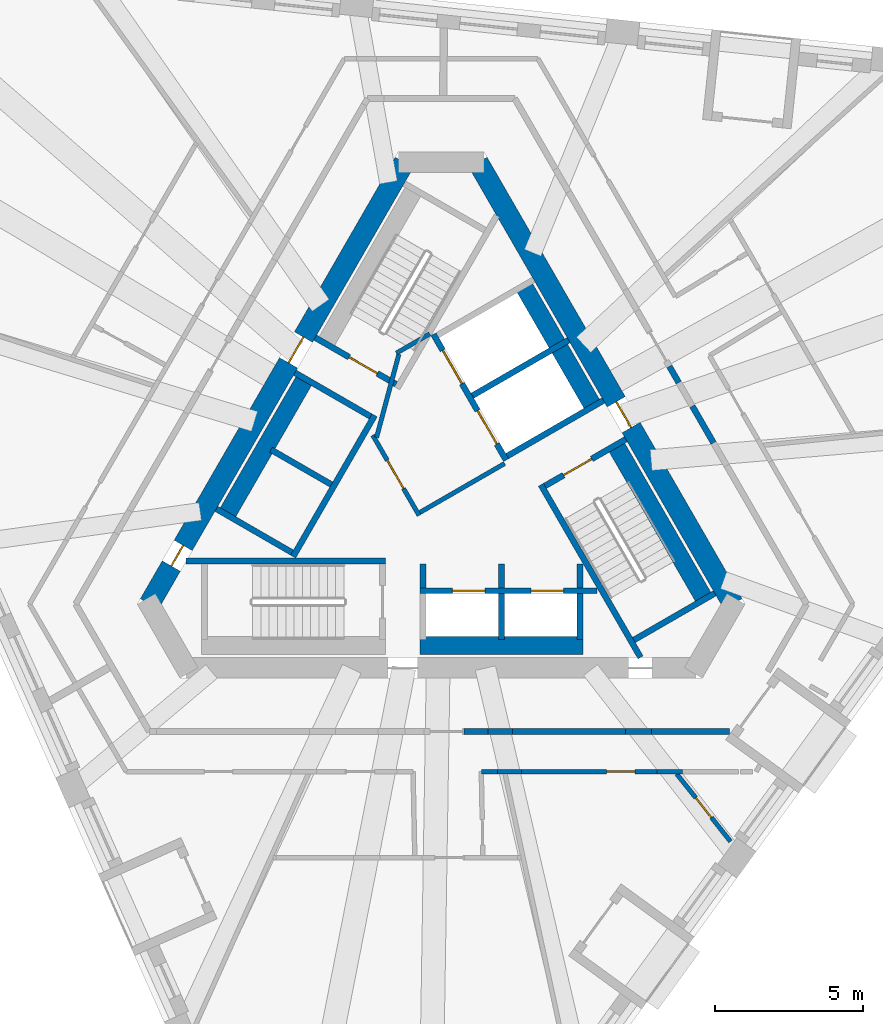
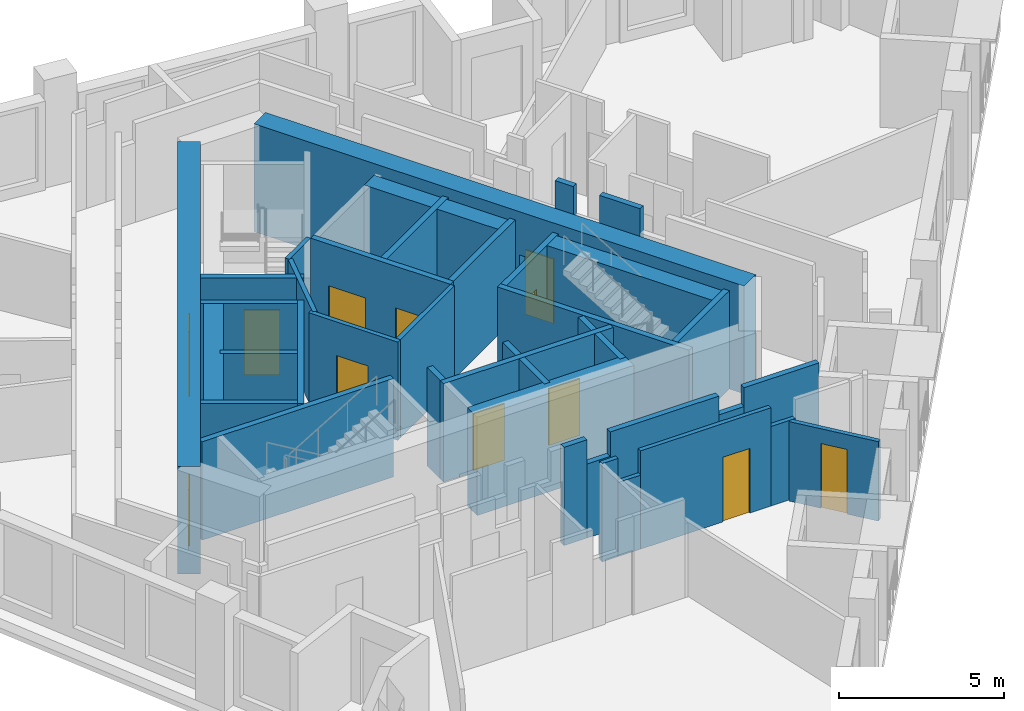
# One storey, part 4 of 11: 40 walls, 12 doors, 12 openings.
"""IFC4 building model written with IfcOpenShell, lengths in metres."""

from ifc_helpers import new_model, si_unit, direction, frame, frame_2d, origin, place, context, subcontext, project, spatial, rectangle, extrude, material, layer, layer_set, type_object, element, fill, save


model = new_model("IFC4")

# Units and contexts
model_context = context("Model", 3, precision=1e-05, world=origin(), true_north=direction((0.0, 1.0)))
body_context = subcontext(model_context, "Body", "Model", "MODEL_VIEW")
ifc_project = project(units=[si_unit("LENGTHUNIT", "METRE"), si_unit("AREAUNIT", "SQUARE_METRE"), si_unit("VOLUMEUNIT", "CUBIC_METRE"), si_unit("PLANEANGLEUNIT", "RADIAN"), si_unit("MASSUNIT", "GRAM", prefix="KILO")], contexts=[model_context])

# Site, building, storey
site_placement = place(None, origin())
site = spatial("IfcSite", under=ifc_project, at=site_placement, CompositionType="ELEMENT")
building_placement = place(site_placement, origin())
building = spatial("IfcBuilding", under=site, at=building_placement, Name="Tramontana Tower", CompositionType="ELEMENT")
storey_placement = place(building_placement, frame((0.0, 0.0, 241.199951171875)))
storey = spatial("IfcBuildingStorey", under=building, at=storey_placement, Name="L56", CompositionType="ELEMENT", Elevation=241.199951171875)

# Wall, openings, doors
ifc_material_1 = material(Name="Concrete 70 MPa", Category="concrete")
ifc_layer_1 = layer(ifc_material_1, 0.699951171875)
ifc_layer_set_1 = layer_set([ifc_layer_1], Name="Core wall 700 70 MPa")
wall_type_1 = type_object("IfcWallType", Name="Core wall 700 70 MPa", PredefinedType="SHEAR", material=ifc_layer_set_1)
wall_1_placement = place(storey_placement, frame((-1.2412109375, 10.64990234375, 0.0), z_axis=(0.0, 0.0, 1.0), x_axis=(-0.500003331888, -0.866023480109, 0.0)))
wall_1 = element("IfcWall", 1, at=wall_1_placement, inside=storey, type_object=wall_type_1, Name="Core wall C1 L56", PredefinedType="SHEAR", context=body_context, shape_type="SweptSolid", body=[
    extrude(rectangle(XDim=17.205078125, YDim=0.699951171875, at=frame_2d((8.6025390625, 0.0))), origin(), (0.0, 0.0, 1.0), 4.0),
])
opening_1_placement = place(wall_1_placement, frame((6.8076171875, 0.0, 0.0)))
opening_1 = element("IfcOpeningElement", 2, at=opening_1_placement, cuts=wall_1, Name="Opening RG1", PredefinedType="OPENING", context=body_context, shape_type="SweptSolid", body=[
    extrude(rectangle(XDim=1.0, YDim=2.39990234375, at=frame_2d((0.5, 1.199951171875))), frame((0.0, 0.35986328125, 0.0), z_axis=(0.0, -1.0, 0.0), x_axis=(1.0, 0.0, 0.0)), (0.0, 0.0, 1.0), 0.719970703125),
])
opening_2_placement = place(wall_1_placement, frame((14.921630859375, 0.0, 0.0)))
opening_2 = element("IfcOpeningElement", 3, at=opening_2_placement, cuts=wall_1, Name="Opening PD1", PredefinedType="OPENING", context=body_context, shape_type="SweptSolid", body=[
    extrude(rectangle(XDim=0.800048828125, YDim=2.10009765625, at=frame_2d((0.39990234375, 1.050048828125))), frame((0.0, 0.35986328125, 0.0), z_axis=(0.0, -1.0, 0.0), x_axis=(1.0, 0.0, 0.0)), (0.0, 0.0, 1.0), 0.719970703125),
])
ifc_material_2 = material(Name="Painted steel", Category="steel")
door_type_1 = type_object("IfcDoorType", Name="CUPBOARD DOOR 800", OperationType="SINGLE_SWING_LEFT", PredefinedType="DOOR", material=ifc_material_2)
door_1_placement = place(opening_2_placement, origin())
door_1 = element("IfcDoor", 4, at=door_1_placement, inside=storey, type_object=door_type_1, Name="Door PD1", OperationType="SINGLE_SWING_LEFT", OverallHeight=2.10009765625, OverallWidth=0.800048828125, PredefinedType="DOOR", context=body_context, shape_type="SweptSolid", body=[
    extrude(rectangle(XDim=0.800048828125, YDim=2.10009765625, at=frame_2d((0.39990234375, 1.050048828125))), frame((0.0, 0.02490234375, 0.0), z_axis=(0.0, -1.0, 0.0), x_axis=(1.0, 0.0, 0.0)), (0.0, 0.0, 1.0), 0.050048828125),
])
fill(opening_2, door_1)
ifc_material_3 = material(Name="Painted steel", Category="steel")
door_type_2 = type_object("IfcDoorType", Name="RING DOOR 1000", OperationType="SINGLE_SWING_LEFT", PredefinedType="DOOR", material=ifc_material_3)
door_2_placement = place(opening_1_placement, origin())
door_2 = element("IfcDoor", 5, at=door_2_placement, inside=storey, type_object=door_type_2, Name="Door RG1", OperationType="SINGLE_SWING_RIGHT", OverallHeight=2.39990234375, OverallWidth=1.0, PredefinedType="DOOR", context=body_context, shape_type="SweptSolid", body=[
    extrude(rectangle(XDim=1.0, YDim=2.39990234375, at=frame_2d((0.5, 1.199951171875))), frame((0.0, 0.02490234375, 0.0), z_axis=(0.0, -1.0, 0.0), x_axis=(1.0, 0.0, 0.0)), (0.0, 0.0, 1.0), 0.050048828125),
])
fill(opening_1, door_2)

# Wall, opening, door
wall_2_placement = place(storey_placement, frame((9.84375, -4.25, 0.0), z_axis=(0.0, 0.0, 1.0), x_axis=(-0.500003331888, 0.866023480109, 0.0)))
wall_2 = element("IfcWall", 6, at=wall_2_placement, inside=storey, type_object=wall_type_1, Name="Core wall C5 L56", PredefinedType="SHEAR", context=body_context, shape_type="SweptSolid", body=[
    extrude(rectangle(XDim=17.205078125, YDim=0.699951171875, at=frame_2d((8.6025390625, 0.0))), origin(), (0.0, 0.0, 1.0), 4.0),
])
opening_3_placement = place(wall_2_placement, frame((6.87744140625, 0.0, 0.0)))
opening_3 = element("IfcOpeningElement", 7, at=opening_3_placement, cuts=wall_2, Name="Opening RG3", PredefinedType="OPENING", context=body_context, shape_type="SweptSolid", body=[
    extrude(rectangle(XDim=1.0, YDim=2.39990234375, at=frame_2d((0.5, 1.199951171875))), frame((0.0, 0.35986328125, 0.0), z_axis=(0.0, -1.0, 0.0), x_axis=(1.0, 0.0, 0.0)), (0.0, 0.0, 1.0), 0.719970703125),
])
door_3_placement = place(opening_3_placement, origin())
door_3 = element("IfcDoor", 8, at=door_3_placement, inside=storey, type_object=door_type_2, Name="Door RG3", OperationType="SINGLE_SWING_RIGHT", OverallHeight=2.39990234375, OverallWidth=1.0, PredefinedType="DOOR", context=body_context, shape_type="SweptSolid", body=[
    extrude(rectangle(XDim=1.0, YDim=2.39990234375, at=frame_2d((0.5, 1.199951171875))), frame((0.0, 0.02490234375, 0.0), z_axis=(0.0, -1.0, 0.0), x_axis=(1.0, 0.0, 0.0)), (0.0, 0.0, 1.0), 0.050048828125),
])
fill(opening_3, door_3)

# Walls
ifc_material_4 = material(Name="Blockwork", Category="masonry")
ifc_layer_2 = layer(ifc_material_4, 0.199951171875)
ifc_layer_set_2 = layer_set([ifc_layer_2], Name="ENTRY WALL 200")
wall_type_2 = type_object("IfcWallType", Name="ENTRY WALL 200", PredefinedType="SOLIDWALL", material=ifc_layer_set_2)
wall_3_placement = place(storey_placement, frame((9.724609375, -8.550048828125, 0.0), z_axis=(0.0, 0.0, 1.0), x_axis=(-1.0, 0.0, 0.0)))
element("IfcWall", 9, at=wall_3_placement, inside=storey, type_object=wall_type_2, Name="Wall v60-ew1-0", PredefinedType="SOLIDWALL", context=body_context, shape_type="SweptSolid", body=[
    extrude(rectangle(XDim=2.62548828125, YDim=0.199951171875, at=frame_2d((1.312744140625, 0.0))), origin(), (0.0, 0.0, 1.0), 3.650146484375),
])
wall_4_placement = place(storey_placement, frame((7.09912109375, -8.550048828125, 0.0), z_axis=(0.0, 0.0, 1.0), x_axis=(-1.0, 0.0, 0.0)))
element("IfcWall", 10, at=wall_4_placement, inside=storey, type_object=wall_type_2, Name="Wall v60-ew1-1", PredefinedType="SOLIDWALL", context=body_context, shape_type="SweptSolid", body=[
    extrude(rectangle(XDim=0.88720703125, YDim=0.199951171875, at=frame_2d((0.443603515625, 0.0))), origin(), (0.0, 0.0, 1.0), 2.949951171875),
])
wall_5_placement = place(storey_placement, frame((6.2119140625, -8.550048828125, 0.0), z_axis=(0.0, 0.0, 1.0), x_axis=(-1.0, 0.0, 0.0)))
element("IfcWall", 11, at=wall_5_placement, inside=storey, type_object=wall_type_2, Name="Wall v60-ew1-2", PredefinedType="SOLIDWALL", context=body_context, shape_type="SweptSolid", body=[
    extrude(rectangle(XDim=3.810546875, YDim=0.199951171875, at=frame_2d((1.9052734375, 0.0))), origin(), (0.0, 0.0, 1.0), 3.650146484375),
])
wall_6_placement = place(storey_placement, frame((2.4013671875, -8.550048828125, 0.0), z_axis=(0.0, 0.0, 1.0), x_axis=(-1.0, 0.0, 0.0)))
element("IfcWall", 12, at=wall_6_placement, inside=storey, type_object=wall_type_2, Name="Wall v60-ew1-3", PredefinedType="SOLIDWALL", context=body_context, shape_type="SweptSolid", body=[
    extrude(rectangle(XDim=0.8212890625, YDim=0.199951171875, at=frame_2d((0.41064453125, 0.0))), origin(), (0.0, 0.0, 1.0), 2.75),
])
wall_7_placement = place(storey_placement, frame((1.580078125, -8.550048828125, 0.0), z_axis=(0.0, 0.0, 1.0), x_axis=(-1.0, 0.0, 0.0)))
element("IfcWall", 13, at=wall_7_placement, inside=storey, type_object=wall_type_2, Name="Wall v60-ew1-4", PredefinedType="SOLIDWALL", context=body_context, shape_type="SweptSolid", body=[
    extrude(rectangle(XDim=0.805908203125, YDim=0.199951171875, at=frame_2d((0.40283203125, 0.0))), origin(), (0.0, 0.0, 1.0), 3.650146484375),
])
wall_8_placement = place(storey_placement, frame((7.697021484375, 3.76806640625, 0.0), z_axis=(0.0, 0.0, 1.0), x_axis=(0.50012328804, -0.865954211699, 0.0)))
element("IfcWall", 14, at=wall_8_placement, inside=storey, type_object=wall_type_2, Name="Wall v60-ew5-6", PredefinedType="SOLIDWALL", context=body_context, shape_type="SweptSolid", body=[
    extrude(rectangle(XDim=0.632568359375, YDim=0.199951171875, at=frame_2d((0.31640625, 0.0))), origin(), (0.0, 0.0, 1.0), 3.650146484375),
])
wall_9_placement = place(storey_placement, frame((8.47216796875, 2.426025390625, 0.0), z_axis=(0.0, 0.0, 1.0), x_axis=(0.499904796234, -0.866080362727, 0.0)))
element("IfcWall", 15, at=wall_9_placement, inside=storey, type_object=wall_type_2, Name="Wall v60-ew5-8", PredefinedType="SOLIDWALL", context=body_context, shape_type="SweptSolid", body=[
    extrude(rectangle(XDim=1.429443359375, YDim=0.199951171875, at=frame_2d((0.71484375, 0.0))), origin(), (0.0, 0.0, 1.0), 3.650146484375),
])

# Wall, opening, door
ifc_material_5 = material(Name="Gypsum board partition")
ifc_layer_3 = layer(ifc_material_5, 0.14990234375)
ifc_layer_set_3 = layer_set([ifc_layer_3], Name="PARTITION 150")
wall_type_3 = type_object("IfcWallType", Name="PARTITION 150", PredefinedType="PARTITIONING", material=ifc_layer_set_3)
wall_10_placement = place(storey_placement, frame((-0.744140625, -1.260986328125, 0.0), z_axis=(0.0, 0.0, 1.0), x_axis=(-0.500004234368, 0.866022959057, 0.0)))
wall_10 = element("IfcWall", 16, at=wall_10_placement, inside=storey, type_object=wall_type_3, Name="Wall ff-front", PredefinedType="PARTITIONING", context=body_context, shape_type="SweptSolid", body=[
    extrude(rectangle(XDim=3.125, YDim=0.14990234375, at=frame_2d((1.5625, 0.0))), origin(), (0.0, 0.0, 1.0), 3.650146484375),
])
opening_4_placement = place(wall_10_placement, frame((1.050048828125, 0.0, 0.0)))
opening_4 = element("IfcOpeningElement", 17, at=opening_4_placement, cuts=wall_10, Name="Opening FD1", PredefinedType="OPENING", context=body_context, shape_type="SweptSolid", body=[
    extrude(rectangle(XDim=1.10009765625, YDim=2.39990234375, at=frame_2d((0.550048828125, 1.199951171875))), frame((0.0, 0.0849609375, 0.0), z_axis=(0.0, -1.0, 0.0), x_axis=(1.0, 0.0, 0.0)), (0.0, 0.0, 1.0), 0.169921875),
])
ifc_material_6 = material(Name="Painted timber", Category="wood")
door_type_3 = type_object("IfcDoorType", Name="DOOR ENTRY 1100", OperationType="SINGLE_SWING_LEFT", PredefinedType="DOOR", material=ifc_material_6)
door_4_placement = place(opening_4_placement, origin())
door_4 = element("IfcDoor", 18, at=door_4_placement, inside=storey, type_object=door_type_3, Name="Door FD1", OperationType="SINGLE_SWING_LEFT", OverallHeight=2.39990234375, OverallWidth=1.10009765625, PredefinedType="DOOR", context=body_context, shape_type="SweptSolid", body=[
    extrude(rectangle(XDim=1.10009765625, YDim=2.39990234375, at=frame_2d((0.550048828125, 1.199951171875))), frame((0.0, 0.02490234375, 0.0), z_axis=(0.0, -1.0, 0.0), x_axis=(1.0, 0.0, 0.0)), (0.0, 0.0, 1.0), 0.050048828125),
])
fill(opening_4, door_4)

# Walls
wall_11_placement = place(storey_placement, frame((-0.716796875, -1.15869140625, 0.0), z_axis=(0.0, 0.0, 1.0), x_axis=(0.866008176907, 0.50002983664, 0.0)))
element("IfcWall", 19, at=wall_11_placement, inside=storey, type_object=wall_type_3, Name="Wall ff-end0", PredefinedType="PARTITIONING", context=body_context, shape_type="SweptSolid", body=[
    extrude(rectangle(XDim=3.300048828125, YDim=0.14990234375, at=frame_2d((1.64990234375, 0.0))), origin(), (0.0, 0.0, 1.0), 3.650146484375),
])
wall_12_placement = place(storey_placement, frame((-2.177978515625, 1.372314453125, 0.0), z_axis=(0.0, 0.0, 1.0), x_axis=(0.258808958833, 0.96592852884, 0.0)))
element("IfcWall", 20, at=wall_12_placement, inside=storey, type_object=wall_type_3, Name="Wall ff-diag", PredefinedType="PARTITIONING", context=body_context, shape_type="SweptSolid", body=[
    extrude(rectangle(XDim=2.902587890625, YDim=0.14990234375, at=frame_2d((1.451171875, 0.0))), origin(), (0.0, 0.0, 1.0), 3.650146484375),
])
wall_13_placement = place(storey_placement, frame((-1.509765625, 4.21484375, 0.0), z_axis=(0.0, 0.0, 1.0), x_axis=(0.866085525409, 0.49989585183, 0.0)))
element("IfcWall", 21, at=wall_13_placement, inside=storey, type_object=wall_type_3, Name="Wall ff-end1", PredefinedType="PARTITIONING", context=body_context, shape_type="SweptSolid", body=[
    extrude(rectangle(XDim=1.300048828125, YDim=0.14990234375, at=frame_2d((0.64990234375, 0.0))), origin(), (0.0, 0.0, 1.0), 3.650146484375),
])

# Wall, opening, door
wall_14_placement = place(storey_placement, frame((7.942626953125, -9.97509765625, 0.0), z_axis=(0.0, 0.0, 1.0), x_axis=(0.622917295976, -0.782287697956, 0.0)))
wall_14 = element("IfcWall", 22, at=wall_14_placement, inside=storey, type_object=wall_type_3, Name="Wall v60-pw20-0", PredefinedType="PARTITIONING", context=body_context, shape_type="SweptSolid", body=[
    extrude(rectangle(XDim=2.916748046875, YDim=0.14990234375, at=frame_2d((1.45849609375, 0.0))), origin(), (0.0, 0.0, 1.0), 2.949951171875),
])
opening_5_placement = place(wall_14_placement, frame((1.033447265625, 0.0, 0.0)))
opening_5 = element("IfcOpeningElement", 23, at=opening_5_placement, cuts=wall_14, Name="Opening B6A-09", PredefinedType="OPENING", context=body_context, shape_type="SweptSolid", body=[
    extrude(rectangle(XDim=0.85009765625, YDim=2.39990234375, at=frame_2d((0.425048828125, 1.199951171875))), frame((0.0, 0.0849609375, 0.0), z_axis=(0.0, -1.0, 0.0), x_axis=(1.0, 0.0, 0.0)), (0.0, 0.0, 1.0), 0.169921875),
])
ifc_material_7 = material(Name="Painted timber", Category="wood")
door_type_4 = type_object("IfcDoorType", Name="DOOR BATH 850", OperationType="SINGLE_SWING_LEFT", PredefinedType="DOOR", material=ifc_material_7)
door_5_placement = place(opening_5_placement, origin())
door_5 = element("IfcDoor", 24, at=door_5_placement, inside=storey, type_object=door_type_4, Name="Door B6A-09", OperationType="SINGLE_SWING_LEFT", OverallHeight=2.39990234375, OverallWidth=0.85009765625, PredefinedType="DOOR", context=body_context, shape_type="SweptSolid", body=[
    extrude(rectangle(XDim=0.85009765625, YDim=2.39990234375, at=frame_2d((0.425048828125, 1.199951171875))), frame((0.0, 0.02490234375, 0.0), z_axis=(0.0, -1.0, 0.0), x_axis=(1.0, 0.0, 0.0)), (0.0, 0.0, 1.0), 0.050048828125),
])
fill(opening_5, door_5)

# Wall
wall_15_placement = place(storey_placement, frame((8.134033203125, -9.89990234375, 0.0), z_axis=(0.0, 0.0, 1.0), x_axis=(-1.0, 0.0, 0.0)))
element("IfcWall", 25, at=wall_15_placement, inside=storey, type_object=wall_type_3, Name="Wall v60-pw21-1", PredefinedType="PARTITIONING", context=body_context, shape_type="SweptSolid", body=[
    extrude(rectangle(XDim=0.85546875, YDim=0.14990234375, at=frame_2d((0.427734375, 0.0))), origin(), (0.0, 0.0, 1.0), 2.949951171875),
])

# Wall, opening, door
wall_16_placement = place(storey_placement, frame((7.278564453125, -9.89990234375, 0.0), z_axis=(0.0, 0.0, 1.0), x_axis=(-1.0, 0.0, 0.0)))
wall_16 = element("IfcWall", 26, at=wall_16_placement, inside=storey, type_object=wall_type_3, Name="Wall v60-pw21-2", PredefinedType="PARTITIONING", context=body_context, shape_type="SweptSolid", body=[
    extrude(rectangle(XDim=4.57568359375, YDim=0.14990234375, at=frame_2d((2.287841796875, 0.0))), origin(), (0.0, 0.0, 1.0), 3.650146484375),
])
opening_6_placement = place(wall_16_placement, frame((0.745361328125, 0.0, 0.0)))
opening_6 = element("IfcOpeningElement", 27, at=opening_6_placement, cuts=wall_16, Name="Opening B6A-08", PredefinedType="OPENING", context=body_context, shape_type="SweptSolid", body=[
    extrude(rectangle(XDim=0.949951171875, YDim=2.39990234375, at=frame_2d((0.47509765625, 1.199951171875))), frame((0.0, 0.0849609375, 0.0), z_axis=(0.0, -1.0, 0.0), x_axis=(1.0, 0.0, 0.0)), (0.0, 0.0, 1.0), 0.169921875),
])
ifc_material_8 = material(Name="Painted timber", Category="wood")
door_type_5 = type_object("IfcDoorType", Name="DOOR ROOM 950", OperationType="SINGLE_SWING_LEFT", PredefinedType="DOOR", material=ifc_material_8)
door_6_placement = place(opening_6_placement, origin())
door_6 = element("IfcDoor", 28, at=door_6_placement, inside=storey, type_object=door_type_5, Name="Door B6A-08", OperationType="SINGLE_SWING_RIGHT", OverallHeight=2.39990234375, OverallWidth=0.949951171875, PredefinedType="DOOR", context=body_context, shape_type="SweptSolid", body=[
    extrude(rectangle(XDim=0.949951171875, YDim=2.39990234375, at=frame_2d((0.47509765625, 1.199951171875))), frame((0.0, 0.02490234375, 0.0), z_axis=(0.0, -1.0, 0.0), x_axis=(1.0, 0.0, 0.0)), (0.0, 0.0, 1.0), 0.050048828125),
])
fill(opening_6, door_6)

# Walls
wall_17_placement = place(storey_placement, frame((2.702880859375, -9.89990234375, 0.0), z_axis=(0.0, 0.0, 1.0), x_axis=(-1.0, 0.0, 0.0)))
element("IfcWall", 29, at=wall_17_placement, inside=storey, type_object=wall_type_3, Name="Wall v60-pw21-3", PredefinedType="PARTITIONING", context=body_context, shape_type="SweptSolid", body=[
    extrude(rectangle(XDim=0.795654296875, YDim=0.14990234375, at=frame_2d((0.39794921875, 0.0))), origin(), (0.0, 0.0, 1.0), 2.75),
])
wall_18_placement = place(storey_placement, frame((1.9072265625, -9.89990234375, 0.0), z_axis=(0.0, 0.0, 1.0), x_axis=(-1.0, 0.0, 0.0)))
element("IfcWall", 30, at=wall_18_placement, inside=storey, type_object=wall_type_3, Name="Wall v60-pw21-4", PredefinedType="PARTITIONING", context=body_context, shape_type="SweptSolid", body=[
    extrude(rectangle(XDim=0.55517578125, YDim=0.14990234375, at=frame_2d((0.277587890625, 0.0))), origin(), (0.0, 0.0, 1.0), 3.650146484375),
])
ifc_material_9 = material(Name="Concrete 70 MPa", Category="concrete")
ifc_layer_4 = layer(ifc_material_9, 0.60009765625)
ifc_layer_set_4 = layer_set([ifc_layer_4], Name="Concrete 70 MPa, 600 mm")
wall_type_4 = type_object("IfcWallType", Name="RC SHAFT BACK WALL 600", PredefinedType="SOLIDWALL", material=ifc_layer_set_4)
wall_19_placement = place(storey_placement, frame((8.93310546875, -4.17236328125, 0.0), z_axis=(0.0, 0.0, 1.0), x_axis=(-0.500026960575, 0.86600983753, 0.0)))
element("IfcWall", 31, at=wall_19_placement, inside=storey, type_object=wall_type_4, Name="Wall st3-back", PredefinedType="SOLIDWALL", context=body_context, shape_type="SweptSolid", body=[
    extrude(rectangle(XDim=6.199951171875, YDim=0.60009765625, at=frame_2d((3.10009765625, 0.0))), origin(), (0.0, 0.0, 1.0), 3.650146484375),
])
for number, where, z_axis, x_axis, name in (
    (32, (-4.5380859375, 3.43994140625, 0.0), (0.0, 0.0, 1.0), (-0.499996545922, -0.866027397988, 0.0), "Wall row0-back"),
    (33, (-0.7099609375, -5.64990234375, 0.0), (0.0, 0.0, 1.0), (1.0, 0.0, 0.0), "Wall row1-back"),
):
    element("IfcWall", number, at=place(storey_placement, frame(where, z_axis=z_axis, x_axis=x_axis)), inside=storey, type_object=wall_type_4, Name=name, PredefinedType="SOLIDWALL", context=body_context, shape_type="SweptSolid", body=[
        extrude(rectangle(XDim=5.5, YDim=0.60009765625, at=frame_2d((2.75, 0.0))), origin(), (0.0, 0.0, 1.0), 3.650146484375),
    ])
wall_20_placement = place(storey_placement, frame((5.177978515625, 2.331298828125, 0.0), z_axis=(0.0, 0.0, 1.0), x_axis=(-0.49998122708, 0.866036242063, 0.0)))
element("IfcWall", 34, at=wall_20_placement, inside=storey, type_object=wall_type_4, Name="Wall row2-back", PredefinedType="SOLIDWALL", context=body_context, shape_type="SweptSolid", body=[
    extrude(rectangle(XDim=4.900146484375, YDim=0.60009765625, at=frame_2d((2.4501953125, 0.0))), origin(), (0.0, 0.0, 1.0), 3.650146484375),
])

# Wall, opening, door
ifc_material_10 = material(Name="Concrete 70 MPa", Category="concrete")
ifc_layer_5 = layer(ifc_material_10, 0.199951171875)
ifc_layer_set_5 = layer_set([ifc_layer_5], Name="Concrete 70 MPa, 200 mm")
wall_type_5 = type_object("IfcWallType", Name="RC STAIR AND SHAFT WALL 200", PredefinedType="SOLIDWALL", material=ifc_layer_set_5)
wall_21_placement = place(storey_placement, frame((-1.521484375, 3.164794921875, 0.0), z_axis=(0.0, 0.0, 1.0), x_axis=(-0.866035871367, 0.499981869177, 0.0)))
wall_21 = element("IfcWall", 35, at=wall_21_placement, inside=storey, type_object=wall_type_5, Name="Wall st1-near", PredefinedType="SOLIDWALL", context=body_context, shape_type="SweptSolid", body=[
    extrude(rectangle(XDim=3.14990234375, YDim=0.199951171875, at=frame_2d((1.574951171875, 0.0))), origin(), (0.0, 0.0, 1.0), 3.650146484375),
])
opening_7_placement = place(wall_21_placement, frame((0.72509765625, 0.0, 0.0)))
opening_7 = element("IfcOpeningElement", 36, at=opening_7_placement, cuts=wall_21, Name="Opening SD1", PredefinedType="OPENING", context=body_context, shape_type="SweptSolid", body=[
    extrude(rectangle(XDim=1.10009765625, YDim=2.39990234375, at=frame_2d((0.550048828125, 1.199951171875))), frame((0.0, 0.10986328125, 0.0), z_axis=(0.0, -1.0, 0.0), x_axis=(1.0, 0.0, 0.0)), (0.0, 0.0, 1.0), 0.219970703125),
])
ifc_material_11 = material(Name="Painted steel", Category="steel")
door_type_6 = type_object("IfcDoorType", Name="STAIR DOOR 1100", OperationType="SINGLE_SWING_LEFT", PredefinedType="DOOR", material=ifc_material_11)
door_7_placement = place(opening_7_placement, origin())
door_7 = element("IfcDoor", 37, at=door_7_placement, inside=storey, type_object=door_type_6, Name="Door SD1", OperationType="SINGLE_SWING_RIGHT", OverallHeight=2.39990234375, OverallWidth=1.10009765625, PredefinedType="DOOR", context=body_context, shape_type="SweptSolid", body=[
    extrude(rectangle(XDim=1.10009765625, YDim=2.39990234375, at=frame_2d((0.550048828125, 1.199951171875))), frame((0.0, 0.02490234375, 0.0), z_axis=(0.0, -1.0, 0.0), x_axis=(1.0, 0.0, 0.0)), (0.0, 0.0, 1.0), 0.050048828125),
])
fill(opening_7, door_7)

# Walls
for number, where, z_axis, x_axis, name in (
    (38, (-8.6025390625, -2.800048828125, 0.0), (0.0, 0.0, 1.0), (1.0, 0.0, 0.0), "Wall st2-front"),
    (39, (6.72607421875, -6.050048828125, 0.0), (0.0, 0.0, 1.0), (-0.499970804718, 0.866042259032, 0.0), "Wall st3-front"),
):
    element("IfcWall", number, at=place(storey_placement, frame(where, z_axis=z_axis, x_axis=x_axis)), inside=storey, type_object=wall_type_5, Name=name, PredefinedType="SOLIDWALL", context=body_context, shape_type="SweptSolid", body=[
        extrude(rectangle(XDim=6.72265625, YDim=0.199951171875, at=frame_2d((3.361328125, 0.0))), origin(), (0.0, 0.0, 1.0), 3.650146484375),
    ])
wall_22_placement = place(storey_placement, frame((6.50146484375, -5.4609375, 0.0), z_axis=(0.0, 0.0, 1.0), x_axis=(0.866035871367, 0.499981869177, 0.0)))
element("IfcWall", 40, at=wall_22_placement, inside=storey, type_object=wall_type_5, Name="Wall st3-far", PredefinedType="SOLIDWALL", context=body_context, shape_type="SweptSolid", body=[
    extrude(rectangle(XDim=3.14990234375, YDim=0.199951171875, at=frame_2d((1.574951171875, 0.0))), origin(), (0.0, 0.0, 1.0), 3.650146484375),
])

# Wall, opening, door
wall_23_placement = place(storey_placement, frame((3.50146484375, -0.2646484375, 0.0), z_axis=(0.0, 0.0, 1.0), x_axis=(0.866035871367, 0.499981869177, 0.0)))
wall_23 = element("IfcWall", 41, at=wall_23_placement, inside=storey, type_object=wall_type_5, Name="Wall st3-near", PredefinedType="SOLIDWALL", context=body_context, shape_type="SweptSolid", body=[
    extrude(rectangle(XDim=3.14990234375, YDim=0.199951171875, at=frame_2d((1.574951171875, 0.0))), origin(), (0.0, 0.0, 1.0), 3.650146484375),
])
opening_8_placement = place(wall_23_placement, frame((0.72509765625, 0.0, 0.0)))
opening_8 = element("IfcOpeningElement", 42, at=opening_8_placement, cuts=wall_23, Name="Opening SD3", PredefinedType="OPENING", context=body_context, shape_type="SweptSolid", body=[
    extrude(rectangle(XDim=1.10009765625, YDim=2.39990234375, at=frame_2d((0.550048828125, 1.199951171875))), frame((0.0, 0.10986328125, 0.0), z_axis=(0.0, -1.0, 0.0), x_axis=(1.0, 0.0, 0.0)), (0.0, 0.0, 1.0), 0.219970703125),
])
door_8_placement = place(opening_8_placement, origin())
door_8 = element("IfcDoor", 43, at=door_8_placement, inside=storey, type_object=door_type_6, Name="Door SD3", OperationType="SINGLE_SWING_RIGHT", OverallHeight=2.39990234375, OverallWidth=1.10009765625, PredefinedType="DOOR", context=body_context, shape_type="SweptSolid", body=[
    extrude(rectangle(XDim=1.10009765625, YDim=2.39990234375, at=frame_2d((0.550048828125, 1.199951171875))), frame((0.0, 0.02490234375, 0.0), z_axis=(0.0, -1.0, 0.0), x_axis=(1.0, 0.0, 0.0)), (0.0, 0.0, 1.0), 0.050048828125),
])
fill(opening_8, door_8)

# Walls
wall_24_placement = place(storey_placement, frame((-2.2431640625, 2.114990234375, 0.0), z_axis=(0.0, 0.0, 1.0), x_axis=(-0.499996545922, -0.866027397988, 0.0)))
element("IfcWall", 44, at=wall_24_placement, inside=storey, type_object=wall_type_5, Name="Wall row0-front", PredefinedType="SOLIDWALL", context=body_context, shape_type="SweptSolid", body=[
    extrude(rectangle(XDim=5.5, YDim=0.199951171875, at=frame_2d((2.75, 0.0))), origin(), (0.0, 0.0, 1.0), 3.650146484375),
])
wall_25_placement = place(storey_placement, frame((-2.379638671875, 2.078369140625, 0.0), z_axis=(0.0, 0.0, 1.0), x_axis=(-0.866060182126, 0.499939757307, 0.0)))
element("IfcWall", 45, at=wall_25_placement, inside=storey, type_object=wall_type_5, Name="Wall row0-side0", PredefinedType="SOLIDWALL", context=body_context, shape_type="SweptSolid", body=[
    extrude(rectangle(XDim=2.949951171875, YDim=0.199951171875, at=frame_2d((1.47509765625, 0.0))), origin(), (0.0, 0.0, 1.0), 3.650146484375),
])
wall_26_placement = place(storey_placement, frame((-3.70458984375, -0.216796875, 0.0), z_axis=(0.0, 0.0, 1.0), x_axis=(-0.866016039709, 0.500016218704, 0.0)))
element("IfcWall", 46, at=wall_26_placement, inside=storey, type_object=wall_type_5, Name="Wall row0-side1", PredefinedType="SOLIDWALL", context=body_context, shape_type="SweptSolid", body=[
    extrude(rectangle(XDim=2.35009765625, YDim=0.199951171875, at=frame_2d((1.175048828125, 0.0))), origin(), (0.0, 0.0, 1.0), 3.650146484375),
])
wall_27_placement = place(storey_placement, frame((-5.02978515625, -2.51171875, 0.0), z_axis=(0.0, 0.0, 1.0), x_axis=(-0.866003658127, 0.500037662692, 0.0)))
element("IfcWall", 47, at=wall_27_placement, inside=storey, type_object=wall_type_5, Name="Wall row0-side2", PredefinedType="SOLIDWALL", context=body_context, shape_type="SweptSolid", body=[
    extrude(rectangle(XDim=2.949951171875, YDim=0.199951171875, at=frame_2d((1.47509765625, 0.0))), origin(), (0.0, 0.0, 1.0), 3.650146484375),
])

# Wall, openings, doors
wall_28_placement = place(storey_placement, frame((-0.7099609375, -3.800048828125, 0.0), z_axis=(0.0, 0.0, 1.0), x_axis=(1.0, 0.0, 0.0)))
wall_28 = element("IfcWall", 48, at=wall_28_placement, inside=storey, type_object=wall_type_5, Name="Wall row1-front", PredefinedType="SOLIDWALL", context=body_context, shape_type="SweptSolid", body=[
    extrude(rectangle(XDim=5.96142578125, YDim=0.199951171875, at=frame_2d((2.980712890625, 0.0))), origin(), (0.0, 0.0, 1.0), 3.650146484375),
])
opening_9_placement = place(wall_28_placement, frame((1.090087890625, 0.0, 0.0)))
opening_9 = element("IfcOpeningElement", 49, at=opening_9_placement, cuts=wall_28, Name="Opening LD-S1", PredefinedType="OPENING", context=body_context, shape_type="SweptSolid", body=[
    extrude(rectangle(XDim=1.10009765625, YDim=2.10009765625, at=frame_2d((0.550048828125, 1.050048828125))), frame((0.0, 0.10986328125, 0.0), z_axis=(0.0, -1.0, 0.0), x_axis=(1.0, 0.0, 0.0)), (0.0, 0.0, 1.0), 0.219970703125),
])
opening_10_placement = place(wall_28_placement, frame((3.739990234375, 0.0, 0.0)))
opening_10 = element("IfcOpeningElement", 50, at=opening_10_placement, cuts=wall_28, Name="Opening LD-S2", PredefinedType="OPENING", context=body_context, shape_type="SweptSolid", body=[
    extrude(rectangle(XDim=1.10009765625, YDim=2.10009765625, at=frame_2d((0.550048828125, 1.050048828125))), frame((0.0, 0.10986328125, 0.0), z_axis=(0.0, -1.0, 0.0), x_axis=(1.0, 0.0, 0.0)), (0.0, 0.0, 1.0), 0.219970703125),
])
ifc_material_12 = material(Name="Brushed steel", Category="steel")
door_type_7 = type_object("IfcDoorType", Name="LANDING DOOR 1100", OperationType="SINGLE_SWING_LEFT", PredefinedType="DOOR", material=ifc_material_12)
door_9_placement = place(opening_9_placement, origin())
door_9 = element("IfcDoor", 51, at=door_9_placement, inside=storey, type_object=door_type_7, Name="Door LD-S1", OperationType="SLIDING_TO_LEFT", OverallHeight=2.10009765625, OverallWidth=1.10009765625, PredefinedType="DOOR", context=body_context, shape_type="SweptSolid", body=[
    extrude(rectangle(XDim=1.10009765625, YDim=2.10009765625, at=frame_2d((0.550048828125, 1.050048828125))), frame((0.0, 0.02490234375, 0.0), z_axis=(0.0, -1.0, 0.0), x_axis=(1.0, 0.0, 0.0)), (0.0, 0.0, 1.0), 0.050048828125),
])
fill(opening_9, door_9)
door_10_placement = place(opening_10_placement, origin())
door_10 = element("IfcDoor", 52, at=door_10_placement, inside=storey, type_object=door_type_7, Name="Door LD-S2", OperationType="SLIDING_TO_RIGHT", OverallHeight=2.10009765625, OverallWidth=1.10009765625, PredefinedType="DOOR", context=body_context, shape_type="SweptSolid", body=[
    extrude(rectangle(XDim=1.10009765625, YDim=2.10009765625, at=frame_2d((0.550048828125, 1.050048828125))), frame((0.0, 0.02490234375, 0.0), z_axis=(0.0, -1.0, 0.0), x_axis=(1.0, 0.0, 0.0)), (0.0, 0.0, 1.0), 0.050048828125),
])
fill(opening_10, door_10)

# Walls
wall_29_placement = place(storey_placement, frame((-0.610107421875, -2.89990234375, 0.0), z_axis=(0.0, 0.0, 1.0), x_axis=(0.0, -1.0, 0.0)))
element("IfcWall", 53, at=wall_29_placement, inside=storey, type_object=wall_type_5, Name="Wall row1-side0-ret", PredefinedType="SOLIDWALL", context=body_context, shape_type="SweptSolid", body=[
    extrude(rectangle(XDim=0.800048828125, YDim=0.199951171875, at=frame_2d((0.39990234375, 0.0))), origin(), (0.0, 0.0, 1.0), 3.650146484375),
])
wall_30_placement = place(storey_placement, frame((2.0400390625, -3.89990234375, 0.0), z_axis=(0.0, 0.0, 1.0), x_axis=(0.0, -1.0, 0.0)))
element("IfcWall", 54, at=wall_30_placement, inside=storey, type_object=wall_type_5, Name="Wall row1-side1", PredefinedType="SOLIDWALL", context=body_context, shape_type="SweptSolid", body=[
    extrude(rectangle(XDim=1.550048828125, YDim=0.199951171875, at=frame_2d((0.77490234375, 0.0))), origin(), (0.0, 0.0, 1.0), 3.650146484375),
])
wall_31_placement = place(storey_placement, frame((2.0400390625, -2.89990234375, 0.0), z_axis=(0.0, 0.0, 1.0), x_axis=(0.0, -1.0, 0.0)))
element("IfcWall", 55, at=wall_31_placement, inside=storey, type_object=wall_type_5, Name="Wall row1-side1-ret", PredefinedType="SOLIDWALL", context=body_context, shape_type="SweptSolid", body=[
    extrude(rectangle(XDim=0.800048828125, YDim=0.199951171875, at=frame_2d((0.39990234375, 0.0))), origin(), (0.0, 0.0, 1.0), 3.650146484375),
])
wall_32_placement = place(storey_placement, frame((4.68994140625, -3.89990234375, 0.0), z_axis=(0.0, 0.0, 1.0), x_axis=(0.0, -1.0, 0.0)))
element("IfcWall", 56, at=wall_32_placement, inside=storey, type_object=wall_type_5, Name="Wall row1-side2", PredefinedType="SOLIDWALL", context=body_context, shape_type="SweptSolid", body=[
    extrude(rectangle(XDim=1.550048828125, YDim=0.199951171875, at=frame_2d((0.77490234375, 0.0))), origin(), (0.0, 0.0, 1.0), 3.650146484375),
])
wall_33_placement = place(storey_placement, frame((4.68994140625, -2.89990234375, 0.0), z_axis=(0.0, 0.0, 1.0), x_axis=(0.0, -1.0, 0.0)))
element("IfcWall", 57, at=wall_33_placement, inside=storey, type_object=wall_type_5, Name="Wall row1-side2-ret", PredefinedType="SOLIDWALL", context=body_context, shape_type="SweptSolid", body=[
    extrude(rectangle(XDim=0.800048828125, YDim=0.199951171875, at=frame_2d((0.39990234375, 0.0))), origin(), (0.0, 0.0, 1.0), 3.650146484375),
])

# Wall, openings, doors
wall_34_placement = place(storey_placement, frame((2.190185546875, 0.6064453125, 0.0), z_axis=(0.0, 0.0, 1.0), x_axis=(-0.500002801628, 0.866023786258, 0.0)))
wall_34 = element("IfcWall", 58, at=wall_34_placement, inside=storey, type_object=wall_type_5, Name="Wall row2-front", PredefinedType="SOLIDWALL", context=body_context, shape_type="SweptSolid", body=[
    extrude(rectangle(XDim=4.89990234375, YDim=0.199951171875, at=frame_2d((2.449951171875, 0.0))), origin(), (0.0, 0.0, 1.0), 3.650146484375),
])
opening_11_placement = place(wall_34_placement, frame((0.625, 0.0, 0.0)))
opening_11 = element("IfcOpeningElement", 59, at=opening_11_placement, cuts=wall_34, Name="Opening LD-F1", PredefinedType="OPENING", context=body_context, shape_type="SweptSolid", body=[
    extrude(rectangle(XDim=1.300048828125, YDim=2.10009765625, at=frame_2d((0.64990234375, 1.050048828125))), frame((0.0, 0.10986328125, 0.0), z_axis=(0.0, -1.0, 0.0), x_axis=(1.0, 0.0, 0.0)), (0.0, 0.0, 1.0), 0.219970703125),
])
opening_12_placement = place(wall_34_placement, frame((2.97509765625, 0.0, 0.0)))
opening_12 = element("IfcOpeningElement", 60, at=opening_12_placement, cuts=wall_34, Name="Opening LD-F2", PredefinedType="OPENING", context=body_context, shape_type="SweptSolid", body=[
    extrude(rectangle(XDim=1.300048828125, YDim=2.10009765625, at=frame_2d((0.64990234375, 1.050048828125))), frame((0.0, 0.10986328125, 0.0), z_axis=(0.0, -1.0, 0.0), x_axis=(1.0, 0.0, 0.0)), (0.0, 0.0, 1.0), 0.219970703125),
])
ifc_material_13 = material(Name="Brushed steel", Category="steel")
door_type_8 = type_object("IfcDoorType", Name="LANDING DOOR 1300", OperationType="SINGLE_SWING_LEFT", PredefinedType="DOOR", material=ifc_material_13)
door_11_placement = place(opening_11_placement, origin())
door_11 = element("IfcDoor", 61, at=door_11_placement, inside=storey, type_object=door_type_8, Name="Door LD-F1", OperationType="SLIDING_TO_LEFT", OverallHeight=2.10009765625, OverallWidth=1.300048828125, PredefinedType="DOOR", context=body_context, shape_type="SweptSolid", body=[
    extrude(rectangle(XDim=1.300048828125, YDim=2.10009765625, at=frame_2d((0.64990234375, 1.050048828125))), frame((0.0, 0.02490234375, 0.0), z_axis=(0.0, -1.0, 0.0), x_axis=(1.0, 0.0, 0.0)), (0.0, 0.0, 1.0), 0.050048828125),
])
fill(opening_11, door_11)
door_12_placement = place(opening_12_placement, origin())
door_12 = element("IfcDoor", 62, at=door_12_placement, inside=storey, type_object=door_type_8, Name="Door LD-F2", OperationType="SLIDING_TO_RIGHT", OverallHeight=2.10009765625, OverallWidth=1.300048828125, PredefinedType="DOOR", context=body_context, shape_type="SweptSolid", body=[
    extrude(rectangle(XDim=1.300048828125, YDim=2.10009765625, at=frame_2d((0.64990234375, 1.050048828125))), frame((0.0, 0.02490234375, 0.0), z_axis=(0.0, -1.0, 0.0), x_axis=(1.0, 0.0, 0.0)), (0.0, 0.0, 1.0), 0.050048828125),
])
fill(opening_12, door_12)

# Walls
wall_35_placement = place(storey_placement, frame((2.226806640625, 0.742919921875, 0.0), z_axis=(0.0, 0.0, 1.0), x_axis=(0.866022959057, 0.500004234368, 0.0)))
element("IfcWall", 63, at=wall_35_placement, inside=storey, type_object=wall_type_5, Name="Wall row2-side0", PredefinedType="SOLIDWALL", context=body_context, shape_type="SweptSolid", body=[
    extrude(rectangle(XDim=3.75, YDim=0.199951171875, at=frame_2d((1.875, 0.0))), origin(), (0.0, 0.0, 1.0), 3.650146484375),
])
wall_36_placement = place(storey_placement, frame((1.0517578125, 2.778076171875, 0.0), z_axis=(0.0, 0.0, 1.0), x_axis=(0.866039234136, 0.499976044363, 0.0)))
element("IfcWall", 64, at=wall_36_placement, inside=storey, type_object=wall_type_5, Name="Wall row2-side1", PredefinedType="SOLIDWALL", context=body_context, shape_type="SweptSolid", body=[
    extrude(rectangle(XDim=3.750244140625, YDim=0.199951171875, at=frame_2d((1.875, 0.0))), origin(), (0.0, 0.0, 1.0), 3.650146484375),
])

save(model, "model.ifc")
